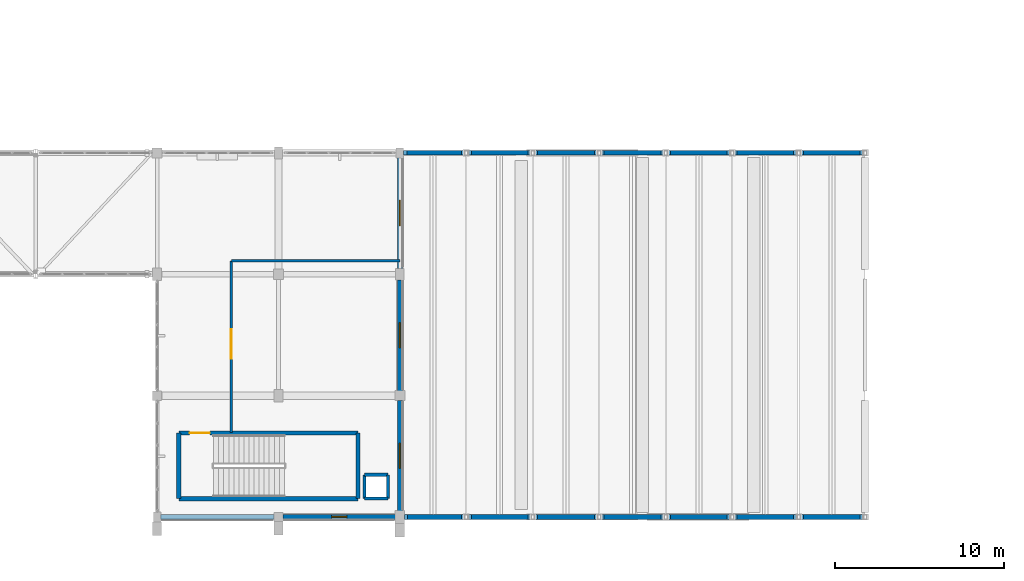
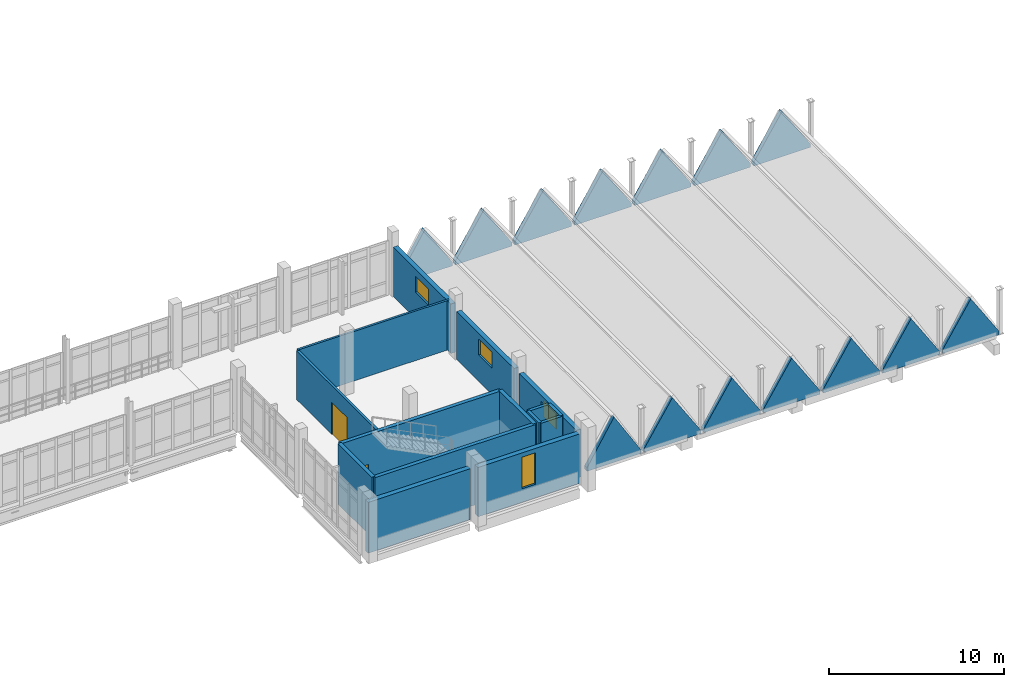
# One storey, part 108 of 124: 29 walls, 4 windows, 2 doors, 6 openings.
"""IFC4 building model written with IfcOpenShell, lengths in metres."""

from ifc_helpers import new_model, si_unit, direction, frame, frame_2d, origin, place, context, subcontext, project, spatial, polyline, rectangle, outline, extrude, material, layer, layer_set, type_object, element, fill, save


model = new_model("IFC4")

# Units and contexts
model_context = context("Model", 3, precision=1e-05, world=origin(), true_north=direction((0.0, 1.0)))
body_context = subcontext(model_context, "Body", "Model", "MODEL_VIEW")
ifc_project = project(units=[si_unit("LENGTHUNIT", "METRE"), si_unit("AREAUNIT", "SQUARE_METRE"), si_unit("VOLUMEUNIT", "CUBIC_METRE"), si_unit("PLANEANGLEUNIT", "RADIAN"), si_unit("MASSUNIT", "GRAM", prefix="KILO")], contexts=[model_context])

# Site, building, storey
site_placement = place(None, origin())
site = spatial("IfcSite", under=ifc_project, at=site_placement, CompositionType="ELEMENT")
building_placement = place(site_placement, origin())
building = spatial("IfcBuilding", under=site, at=building_placement, Name="Kalluvel Institute of Natural Sciences", CompositionType="ELEMENT")
storey_placement = place(building_placement, frame((0.0, 0.0, 9.89990234375)))
storey = spatial("IfcBuildingStorey", under=building, at=storey_placement, Name="L02", CompositionType="ELEMENT", Elevation=9.89990234375)

# Walls
ifc_material_1 = material(Name="Concrete M40", Category="concrete")
ifc_layer_1 = layer(ifc_material_1, 0.25)
ifc_layer_set_1 = layer_set([ifc_layer_1], Name="Concrete M40")
wall_type_1 = type_object("IfcWallType", Name="WL-CORE-250", PredefinedType="SHEAR", material=ifc_layer_set_1)
wall_1_placement = place(storey_placement, frame((101.68505859375, 15.0849609375, 0.0), z_axis=(0.0, 0.0, 1.0), x_axis=(1.0, 0.0, 0.0)))
element("IfcWall", 1, at=wall_1_placement, inside=storey, type_object=wall_type_1, Name="ST7 L02 core wall S", PredefinedType="SHEAR", context=body_context, shape_type="SweptSolid", body=[
    extrude(rectangle(XDim=10.6298828125, YDim=0.25, at=frame_2d((5.31494140625, 0.0))), origin(), (0.0, 0.0, 1.0), 4.215087890625),
])
wall_2_placement = place(storey_placement, frame((112.31494140625, 15.0849609375, 0.0), z_axis=(0.0, 0.0, 1.0), x_axis=(0.0, 1.0, 0.0)))
element("IfcWall", 2, at=wall_2_placement, inside=storey, type_object=wall_type_1, Name="ST7 L02 core wall E", PredefinedType="SHEAR", context=body_context, shape_type="SweptSolid", body=[
    extrude(rectangle(XDim=3.900146484375, YDim=0.25, at=frame_2d((1.9501953125, 0.0))), origin(), (0.0, 0.0, 1.0), 4.215087890625),
])

# Wall, opening, door
wall_3_placement = place(storey_placement, frame((112.31494140625, 18.985107421875, 0.0), z_axis=(0.0, 0.0, 1.0), x_axis=(-1.0, 0.0, 0.0)))
wall_3 = element("IfcWall", 3, at=wall_3_placement, inside=storey, type_object=wall_type_1, Name="ST7 L02 core wall N", PredefinedType="SHEAR", context=body_context, shape_type="SweptSolid", body=[
    extrude(rectangle(XDim=10.6298828125, YDim=0.25, at=frame_2d((5.31494140625, 0.0))), origin(), (0.0, 0.0, 1.0), 4.215087890625),
])
opening_1_placement = place(wall_3_placement, frame((8.780029296875, 0.0, 0.0)))
opening_1 = element("IfcOpeningElement", 4, at=opening_1_placement, cuts=wall_3, Name="Opening DS-048", PredefinedType="OPENING", context=body_context, shape_type="SweptSolid", body=[
    extrude(rectangle(XDim=1.199951171875, YDim=2.14990234375, at=frame_2d((0.60009765625, 1.074951171875))), frame((0.0, 0.135009765625, 0.0), z_axis=(0.0, -1.0, 0.0), x_axis=(1.0, 0.0, 0.0)), (0.0, 0.0, 1.0), 0.27001953125),
])
ifc_material_2 = material(Name="Galvanized Fire-Rated Steel", Category="steel")
door_type_1 = type_object("IfcDoorType", Name="DR-ST-1200", OperationType="NOTDEFINED", PredefinedType="DOOR", material=ifc_material_2)
door_1_placement = place(opening_1_placement, origin())
door_1 = element("IfcDoor", 5, at=door_1_placement, inside=storey, type_object=door_type_1, Name="ST7 L02 protected stair door DS-048", OperationType="SINGLE_SWING_LEFT", OverallHeight=2.14990234375, OverallWidth=1.199951171875, PredefinedType="DOOR", context=body_context, shape_type="SweptSolid", body=[
    extrude(rectangle(XDim=1.199951171875, YDim=2.14990234375, at=frame_2d((0.60009765625, 1.074951171875))), frame((0.0, 0.02490234375, 0.0), z_axis=(0.0, -1.0, 0.0), x_axis=(1.0, 0.0, 0.0)), (0.0, 0.0, 1.0), 0.050048828125),
])
fill(opening_1, door_1)

# Wall
wall_4_placement = place(storey_placement, frame((101.68505859375, 18.985107421875, 0.0), z_axis=(0.0, 0.0, 1.0), x_axis=(0.0, -1.0, 0.0)))
element("IfcWall", 6, at=wall_4_placement, inside=storey, type_object=wall_type_1, Name="ST7 L02 core wall W", PredefinedType="SHEAR", context=body_context, shape_type="SweptSolid", body=[
    extrude(rectangle(XDim=3.900146484375, YDim=0.25, at=frame_2d((1.9501953125, 0.0))), origin(), (0.0, 0.0, 1.0), 4.215087890625),
])

# Wall, opening, window
ifc_material_3 = material(Name="Sadarahalli Grey Granite Ashlar Concrete M40", Category="masonry")
ifc_layer_2 = layer(ifc_material_3, 0.300048828125)
ifc_layer_set_2 = layer_set([ifc_layer_2], Name="Sadarahalli Grey Granite Ashlar Concrete M40")
wall_type_2 = type_object("IfcWallType", Name="WL-EXT-300", PredefinedType="SOLIDWALL", material=ifc_layer_set_2)
wall_5_placement = place(storey_placement, frame((114.800048828125, 14.35498046875, 0.0), z_axis=(0.0, 0.0, 1.0), x_axis=(0.0, 1.0, 0.0)))
wall_5 = element("IfcWall", 7, at=wall_5_placement, inside=storey, type_object=wall_type_2, Name="L02 Sadarahalli granite exterior wall WL-EXT-L02-0227", PredefinedType="SOLIDWALL", context=body_context, shape_type="SweptSolid", body=[
    extrude(rectangle(XDim=6.56494140625, YDim=0.300048828125, at=frame_2d((3.282470703125, 0.0))), origin(), (0.0, 0.0, 1.0), 3.35498046875),
])
opening_2_placement = place(wall_5_placement, frame((2.532470703125, 0.0, 1.85009765625)))
opening_2 = element("IfcOpeningElement", 8, at=opening_2_placement, cuts=wall_5, Name="Opening W-12", PredefinedType="OPENING", context=body_context, shape_type="SweptSolid", body=[
    extrude(rectangle(XDim=1.5, YDim=1.10009765625, at=frame_2d((0.75, 0.550048828125))), frame((0.0, 0.159912109375, 0.0), z_axis=(0.0, -1.0, 0.0), x_axis=(1.0, 0.0, 0.0)), (0.0, 0.0, 1.0), 0.320068359375),
])
ifc_material_4 = material(Name="Solar-Control Low-E Laminated Glass", Category="glass")
window_type_1 = type_object("IfcWindowType", Name="WN-HIGH-150x110", PartitioningType="SINGLE_PANEL", PredefinedType="WINDOW", material=ifc_material_4)
window_1_placement = place(opening_2_placement, origin())
window_1 = element("IfcWindow", 9, at=window_1_placement, inside=storey, type_object=window_type_1, Name="L02 Gothic lancet window 38", OverallHeight=1.10009765625, OverallWidth=1.5, PartitioningType="SINGLE_PANEL", PredefinedType="WINDOW", context=body_context, shape_type="SweptSolid", body=[
    extrude(rectangle(XDim=1.5, YDim=1.10009765625, at=frame_2d((0.75, 0.550048828125))), frame((0.0, 0.030029296875, 0.0), z_axis=(0.0, -1.0, 0.0), x_axis=(1.0, 0.0, 0.0)), (0.0, 0.0, 1.0), 0.06005859375),
])
fill(opening_2, window_1)

wall_6_placement = place(storey_placement, frame((114.800048828125, 21.47998046875, 0.0), z_axis=(0.0, 0.0, 1.0), x_axis=(0.0, 1.0, 0.0)))
wall_6 = element("IfcWall", 10, at=wall_6_placement, inside=storey, type_object=wall_type_2, Name="L02 Sadarahalli granite exterior wall WL-EXT-L02-0228", PredefinedType="SOLIDWALL", context=body_context, shape_type="SweptSolid", body=[
    extrude(rectangle(XDim=6.590087890625, YDim=0.300048828125, at=frame_2d((3.294921875, 0.0))), origin(), (0.0, 0.0, 1.0), 3.35498046875),
])
opening_3_placement = place(wall_6_placement, frame((2.544921875, 0.0, 1.85009765625)))
opening_3 = element("IfcOpeningElement", 11, at=opening_3_placement, cuts=wall_6, Name="Opening W-12", PredefinedType="OPENING", context=body_context, shape_type="SweptSolid", body=[
    extrude(rectangle(XDim=1.5, YDim=1.10009765625, at=frame_2d((0.75, 0.550048828125))), frame((0.0, 0.159912109375, 0.0), z_axis=(0.0, -1.0, 0.0), x_axis=(1.0, 0.0, 0.0)), (0.0, 0.0, 1.0), 0.320068359375),
])
window_2_placement = place(opening_3_placement, origin())
window_2 = element("IfcWindow", 12, at=window_2_placement, inside=storey, type_object=window_type_1, Name="L02 Gothic lancet window 39", OverallHeight=1.10009765625, OverallWidth=1.5, PartitioningType="SINGLE_PANEL", PredefinedType="WINDOW", context=body_context, shape_type="SweptSolid", body=[
    extrude(rectangle(XDim=1.5, YDim=1.10009765625, at=frame_2d((0.75, 0.550048828125))), frame((0.0, 0.030029296875, 0.0), z_axis=(0.0, -1.0, 0.0), x_axis=(1.0, 0.0, 0.0)), (0.0, 0.0, 1.0), 0.06005859375),
])
fill(opening_3, window_2)

wall_7_placement = place(storey_placement, frame((114.800048828125, 28.72998046875, 0.0), z_axis=(0.0, 0.0, 1.0), x_axis=(0.0, 1.0, 0.0)))
wall_7 = element("IfcWall", 13, at=wall_7_placement, inside=storey, type_object=wall_type_2, Name="L02 Sadarahalli granite exterior wall WL-EXT-L02-0229", PredefinedType="SOLIDWALL", context=body_context, shape_type="SweptSolid", body=[
    extrude(rectangle(XDim=6.590087890625, YDim=0.300048828125, at=frame_2d((3.294921875, 0.0))), origin(), (0.0, 0.0, 1.0), 3.455078125),
])
opening_4_placement = place(wall_7_placement, frame((2.544921875, 0.0, 1.85009765625)))
opening_4 = element("IfcOpeningElement", 14, at=opening_4_placement, cuts=wall_7, Name="Opening W-12", PredefinedType="OPENING", context=body_context, shape_type="SweptSolid", body=[
    extrude(rectangle(XDim=1.5, YDim=1.10009765625, at=frame_2d((0.75, 0.550048828125))), frame((0.0, 0.159912109375, 0.0), z_axis=(0.0, -1.0, 0.0), x_axis=(1.0, 0.0, 0.0)), (0.0, 0.0, 1.0), 0.320068359375),
])
window_3_placement = place(opening_4_placement, origin())
window_3 = element("IfcWindow", 15, at=window_3_placement, inside=storey, type_object=window_type_1, Name="L02 Gothic lancet window 40", OverallHeight=1.10009765625, OverallWidth=1.5, PartitioningType="SINGLE_PANEL", PredefinedType="WINDOW", context=body_context, shape_type="SweptSolid", body=[
    extrude(rectangle(XDim=1.5, YDim=1.10009765625, at=frame_2d((0.75, 0.550048828125))), frame((0.0, 0.030029296875, 0.0), z_axis=(0.0, -1.0, 0.0), x_axis=(1.0, 0.0, 0.0)), (0.0, 0.0, 1.0), 0.06005859375),
])
fill(opening_4, window_3)

# Wall
ifc_layer_3 = layer(ifc_material_3, 0.320068359375)
ifc_layer_set_3 = layer_set([ifc_layer_3], Name="Sadarahalli Grey Granite Ashlar Concrete M40")
wall_type_3 = type_object("IfcWallType", Name="WL-EXT-320", PredefinedType="SOLIDWALL", material=ifc_layer_set_3)
wall_8_placement = place(storey_placement, frame((100.60498046875, 14.0, 0.0), z_axis=(0.0, 0.0, 1.0), x_axis=(1.0, 0.0, 0.0)))
element("IfcWall", 16, at=wall_8_placement, inside=storey, type_object=wall_type_3, Name="L02 Sadarahalli granite exterior wall WL-EXT-L02-0225", PredefinedType="SOLIDWALL", context=body_context, shape_type="SweptSolid", body=[
    extrude(rectangle(XDim=6.739990234375, YDim=0.320068359375, at=frame_2d((3.3701171875, 0.0))), origin(), (0.0, 0.0, 1.0), 3.55517578125),
])

# Wall, opening, window
wall_9_placement = place(storey_placement, frame((107.85498046875, 14.0, 0.0), z_axis=(0.0, 0.0, 1.0), x_axis=(1.0, 0.0, 0.0)))
wall_9 = element("IfcWall", 17, at=wall_9_placement, inside=storey, type_object=wall_type_3, Name="L02 Sadarahalli granite exterior wall WL-EXT-L02-0226", PredefinedType="SOLIDWALL", context=body_context, shape_type="SweptSolid", body=[
    extrude(rectangle(XDim=6.68994140625, YDim=0.320068359375, at=frame_2d((3.344970703125, 0.0))), origin(), (0.0, 0.0, 1.0), 3.455078125),
])
opening_5_placement = place(wall_9_placement, frame((2.89501953125, 0.0, 0.949951171875)))
opening_5 = element("IfcOpeningElement", 18, at=opening_5_placement, cuts=wall_9, Name="Opening W-01", PredefinedType="OPENING", context=body_context, shape_type="SweptSolid", body=[
    extrude(rectangle(XDim=0.89990234375, YDim=2.199951171875, at=frame_2d((0.449951171875, 1.10009765625))), frame((0.0, 0.169921875, 0.0), z_axis=(0.0, -1.0, 0.0), x_axis=(1.0, 0.0, 0.0)), (0.0, 0.0, 1.0), 0.340087890625),
])
window_type_2 = type_object("IfcWindowType", Name="WN-LAN-090x220", PartitioningType="SINGLE_PANEL", PredefinedType="WINDOW", material=ifc_material_4)
window_4_placement = place(opening_5_placement, origin())
window_4 = element("IfcWindow", 19, at=window_4_placement, inside=storey, type_object=window_type_2, Name="L02 Gothic lancet window 37", OverallHeight=2.199951171875, OverallWidth=0.89990234375, PartitioningType="SINGLE_PANEL", PredefinedType="WINDOW", context=body_context, shape_type="SweptSolid", body=[
    extrude(rectangle(XDim=0.89990234375, YDim=2.199951171875, at=frame_2d((0.449951171875, 1.10009765625))), frame((0.0, 0.030029296875, 0.0), z_axis=(0.0, -1.0, 0.0), x_axis=(1.0, 0.0, 0.0)), (0.0, 0.0, 1.0), 0.06005859375),
])
fill(opening_5, window_4)

# Walls
ifc_layer_4 = layer(ifc_material_3, 0.280029296875)
ifc_layer_set_4 = layer_set([ifc_layer_4], Name="Sadarahalli Grey Granite Ashlar Concrete M40")
wall_type_4 = type_object("IfcWallType", Name="WL-GABLE-280", PredefinedType="SOLIDWALL", material=ifc_layer_set_4)
wall_10_placement = place(storey_placement, frame((115.0751953125, 14.0, 0.650146484375), z_axis=(0.0, 0.0, 1.0), x_axis=(1.0, 0.0, 0.0)))
element("IfcWall", 20, at=wall_10_placement, inside=storey, type_object=wall_type_4, Name="Lecture Theatre South folded-plate gable 1", PredefinedType="SOLIDWALL", context=body_context, shape_type="SweptSolid", body=[
    extrude(outline(polyline([(0.0, 0.0), (3.567626953125, 0.0), (3.56787109375, 0.25), (1.783935546875, 3.169921875), (0.0, 0.25), (0.0, 0.0)])), frame((0.0, 0.14013671875, 0.0), z_axis=(0.0, -1.0, 0.0), x_axis=(1.0, 0.0, 0.0)), (0.0, 0.0, 1.0), 0.280029296875),
])
wall_11_placement = place(storey_placement, frame((115.02490234375, 35.60009765625, 0.650146484375), z_axis=(0.0, 0.0, 1.0), x_axis=(1.0, 0.0, 0.0)))
element("IfcWall", 21, at=wall_11_placement, inside=storey, type_object=wall_type_4, Name="Lecture Theatre North folded-plate gable 1", PredefinedType="SOLIDWALL", context=body_context, shape_type="SweptSolid", body=[
    extrude(outline(polyline([(0.0, 0.0), (3.617919921875, 0.0), (3.617919921875, 0.25), (1.80908203125, 3.169921875), (0.0, 0.25), (0.0, 0.0)])), frame((0.0, 0.14013671875, 0.0), z_axis=(0.0, -1.0, 0.0), x_axis=(1.0, 0.0, 0.0)), (0.0, 0.0, 1.0), 0.280029296875),
])
for number, where, z_axis, x_axis, name in (
    (22, (118.843017578125, 14.0, 0.650146484375), (0.0, 0.0, 1.0), (1.0, 0.0, 0.0), "Lecture Theatre South folded-plate gable 2"),
    (23, (118.843017578125, 35.60009765625, 0.650146484375), (0.0, 0.0, 1.0), (1.0, 0.0, 0.0), "Lecture Theatre North folded-plate gable 2"),
):
    element("IfcWall", number, at=place(storey_placement, frame(where, z_axis=z_axis, x_axis=x_axis)), inside=storey, type_object=wall_type_4, Name=name, PredefinedType="SOLIDWALL", context=body_context, shape_type="SweptSolid", body=[
        extrude(outline(polyline([(0.0, 0.0), (3.74267578125, 0.0), (3.742919921875, 0.25), (1.871337890625, 3.169921875), (0.0, 0.25), (0.0, 0.0)])), frame((0.0, 0.14013671875, 0.0), z_axis=(0.0, -1.0, 0.0), x_axis=(1.0, 0.0, 0.0)), (0.0, 0.0, 1.0), 0.280029296875),
    ])
for number, where, z_axis, x_axis, name in (
    (24, (122.78564453125, 14.0, 0.650146484375), (0.0, 0.0, 1.0), (1.0, 0.0, 0.0), "Lecture Theatre South folded-plate gable 3"),
    (25, (122.78564453125, 35.60009765625, 0.650146484375), (0.0, 0.0, 1.0), (1.0, 0.0, 0.0), "Lecture Theatre North folded-plate gable 3"),
):
    element("IfcWall", number, at=place(storey_placement, frame(where, z_axis=z_axis, x_axis=x_axis)), inside=storey, type_object=wall_type_4, Name=name, PredefinedType="SOLIDWALL", context=body_context, shape_type="SweptSolid", body=[
        extrude(outline(polyline([(0.0, 0.0), (3.742919921875, 0.0), (3.742919921875, 0.25), (1.87158203125, 3.169921875), (0.0, 0.25), (0.0, 0.0)])), frame((0.0, 0.14013671875, 0.0), z_axis=(0.0, -1.0, 0.0), x_axis=(1.0, 0.0, 0.0)), (0.0, 0.0, 1.0), 0.280029296875),
    ])
for number, where, z_axis, x_axis, name in (
    (26, (126.728515625, 14.0, 0.650146484375), (0.0, 0.0, 1.0), (1.0, 0.0, 0.0), "Lecture Theatre South folded-plate gable 4"),
    (27, (126.728515625, 35.60009765625, 0.650146484375), (0.0, 0.0, 1.0), (1.0, 0.0, 0.0), "Lecture Theatre North folded-plate gable 4"),
):
    element("IfcWall", number, at=place(storey_placement, frame(where, z_axis=z_axis, x_axis=x_axis)), inside=storey, type_object=wall_type_4, Name=name, PredefinedType="SOLIDWALL", context=body_context, shape_type="SweptSolid", body=[
        extrude(outline(polyline([(0.0, 0.0), (3.742919921875, 0.0), (3.742919921875, 0.25), (1.871337890625, 3.169921875), (0.0, 0.25), (0.0, 0.0)])), frame((0.0, 0.14013671875, 0.0), z_axis=(0.0, -1.0, 0.0), x_axis=(1.0, 0.0, 0.0)), (0.0, 0.0, 1.0), 0.280029296875),
    ])
for number, where, z_axis, x_axis, name in (
    (28, (130.67138671875, 14.0, 0.650146484375), (0.0, 0.0, 1.0), (1.0, 0.0, 0.0), "Lecture Theatre South folded-plate gable 5"),
    (29, (130.67138671875, 35.60009765625, 0.650146484375), (0.0, 0.0, 1.0), (1.0, 0.0, 0.0), "Lecture Theatre North folded-plate gable 5"),
):
    element("IfcWall", number, at=place(storey_placement, frame(where, z_axis=z_axis, x_axis=x_axis)), inside=storey, type_object=wall_type_4, Name=name, PredefinedType="SOLIDWALL", context=body_context, shape_type="SweptSolid", body=[
        extrude(outline(polyline([(0.0, 0.0), (3.742919921875, 0.0), (3.742919921875, 0.25), (1.87158203125, 3.169921875), (0.0, 0.25), (0.0, 0.0)])), frame((0.0, 0.14013671875, 0.0), z_axis=(0.0, -1.0, 0.0), x_axis=(1.0, 0.0, 0.0)), (0.0, 0.0, 1.0), 0.280029296875),
    ])
for number, where, z_axis, x_axis, name in (
    (30, (134.6142578125, 14.0, 0.650146484375), (0.0, 0.0, 1.0), (1.0, 0.0, 0.0), "Lecture Theatre South folded-plate gable 6"),
    (31, (134.6142578125, 35.60009765625, 0.650146484375), (0.0, 0.0, 1.0), (1.0, 0.0, 0.0), "Lecture Theatre North folded-plate gable 6"),
):
    element("IfcWall", number, at=place(storey_placement, frame(where, z_axis=z_axis, x_axis=x_axis)), inside=storey, type_object=wall_type_4, Name=name, PredefinedType="SOLIDWALL", context=body_context, shape_type="SweptSolid", body=[
        extrude(outline(polyline([(0.0, 0.0), (3.742919921875, 0.0), (3.742919921875, 0.25), (1.871337890625, 3.169921875), (0.0, 0.25), (0.0, 0.0)])), frame((0.0, 0.14013671875, 0.0), z_axis=(0.0, -1.0, 0.0), x_axis=(1.0, 0.0, 0.0)), (0.0, 0.0, 1.0), 0.280029296875),
    ])
for number, where, z_axis, x_axis, name in (
    (32, (138.55712890625, 14.0, 0.650146484375), (0.0, 0.0, 1.0), (1.0, 0.0, 0.0), "Lecture Theatre South folded-plate gable 7"),
    (33, (138.55712890625, 35.60009765625, 0.650146484375), (0.0, 0.0, 1.0), (1.0, 0.0, 0.0), "Lecture Theatre North folded-plate gable 7"),
):
    element("IfcWall", number, at=place(storey_placement, frame(where, z_axis=z_axis, x_axis=x_axis)), inside=storey, type_object=wall_type_4, Name=name, PredefinedType="SOLIDWALL", context=body_context, shape_type="SweptSolid", body=[
        extrude(outline(polyline([(0.0, 0.0), (3.742919921875, 0.0), (3.742919921875, 0.25), (1.87158203125, 3.169921875), (0.0, 0.25), (0.0, 0.0)])), frame((0.0, 0.14013671875, 0.0), z_axis=(0.0, -1.0, 0.0), x_axis=(1.0, 0.0, 0.0)), (0.0, 0.0, 1.0), 0.280029296875),
    ])
ifc_material_5 = material(Name="Acoustic Gypsum Twin-Stud Partition", Category="gypsum")
ifc_layer_5 = layer(ifc_material_5, 0.139892578125)
ifc_layer_set_5 = layer_set([ifc_layer_5], Name="Acoustic Gypsum Twin-Stud Partition")
wall_type_5 = type_object("IfcWallType", Name="WL-PART-140", PredefinedType="PARTITIONING", material=ifc_layer_set_5)
wall_12_placement = place(storey_placement, frame((104.800048828125, 29.199951171875, 0.0), z_axis=(0.0, 0.0, 1.0), x_axis=(1.0, 0.0, 0.0)))
element("IfcWall", 34, at=wall_12_placement, inside=storey, type_object=wall_type_5, Name="L02 interior partition wall WL-INT-L02-0163", PredefinedType="PARTITIONING", context=body_context, shape_type="SweptSolid", body=[
    extrude(rectangle(XDim=10.0, YDim=0.139892578125, at=frame_2d((5.0, 0.0))), origin(), (0.0, 0.0, 1.0), 3.460205078125),
])

# Wall, opening, door
ifc_material_6 = material(Name="Autoclaved Aerated Concrete Masonry Block", Category="masonry")
ifc_layer_6 = layer(ifc_material_6, 0.159912109375)
ifc_layer_set_6 = layer_set([ifc_layer_6], Name="Autoclaved Aerated Concrete Masonry Block")
wall_type_6 = type_object("IfcWallType", Name="WL-PART-160", PredefinedType="PARTITIONING", material=ifc_layer_set_6)
wall_13_placement = place(storey_placement, frame((104.800048828125, 19.0, 0.0), z_axis=(0.0, 0.0, 1.0), x_axis=(0.0, 1.0, 0.0)))
wall_13 = element("IfcWall", 35, at=wall_13_placement, inside=storey, type_object=wall_type_6, Name="L02 interior partition wall WL-INT-L02-0162", PredefinedType="PARTITIONING", context=body_context, shape_type="SweptSolid", body=[
    extrude(rectangle(XDim=10.199951171875, YDim=0.159912109375, at=frame_2d((5.10009765625, 0.0))), origin(), (0.0, 0.0, 1.0), 3.41015625),
])
opening_6_placement = place(wall_13_placement, frame((4.39990234375, 0.0, 0.0)))
opening_6 = element("IfcOpeningElement", 36, at=opening_6_placement, cuts=wall_13, Name="Opening D-143", PredefinedType="OPENING", context=body_context, shape_type="SweptSolid", body=[
    extrude(rectangle(XDim=1.75, YDim=2.25, at=frame_2d((0.875, 1.125))), frame((0.0, 0.08984375, 0.0), z_axis=(0.0, -1.0, 0.0), x_axis=(1.0, 0.0, 0.0)), (0.0, 0.0, 1.0), 0.179931640625),
])
ifc_material_7 = material(Name="Aluminium AW-6063 T6", Category="aluminium")
door_type_2 = type_object("IfcDoorType", Name="DR-DBL-1750", OperationType="NOTDEFINED", PredefinedType="DOOR", material=ifc_material_7)
door_2_placement = place(opening_6_placement, origin())
door_2 = element("IfcDoor", 37, at=door_2_placement, inside=storey, type_object=door_type_2, Name="Second-Floor Interdisciplinary Fellows Commons door D-143", OperationType="DOUBLE_DOOR_SINGLE_SWING", OverallHeight=2.25, OverallWidth=1.75, PredefinedType="DOOR", context=body_context, shape_type="SweptSolid", body=[
    extrude(rectangle(XDim=1.75, YDim=2.25, at=frame_2d((0.875, 1.125))), frame((0.0, 0.02490234375, 0.0), z_axis=(0.0, -1.0, 0.0), x_axis=(1.0, 0.0, 0.0)), (0.0, 0.0, 1.0), 0.050048828125),
])
fill(opening_6, door_2)

# Walls
ifc_layer_7 = layer(ifc_material_1, 0.199951171875)
ifc_layer_set_7 = layer_set([ifc_layer_7], Name="Concrete M40")
wall_type_7 = type_object("IfcWallType", Name="WL-RISER-200", PredefinedType="SHEAR", material=ifc_layer_set_7)
wall_14_placement = place(storey_placement, frame((112.699951171875, 15.10009765625, 0.0), z_axis=(0.0, 0.0, 1.0), x_axis=(1.0, 0.0, 0.0)))
element("IfcWall", 38, at=wall_14_placement, inside=storey, type_object=wall_type_7, Name="RS-ECOM L02 service riser enclosure S", PredefinedType="SHEAR", context=body_context, shape_type="SweptSolid", body=[
    extrude(rectangle(XDim=1.400146484375, YDim=0.199951171875, at=frame_2d((0.7001953125, 0.0))), origin(), (0.0, 0.0, 1.0), 4.14013671875),
])
wall_15_placement = place(storey_placement, frame((114.10009765625, 15.10009765625, 0.0), z_axis=(0.0, 0.0, 1.0), x_axis=(0.0, 1.0, 0.0)))
element("IfcWall", 39, at=wall_15_placement, inside=storey, type_object=wall_type_7, Name="RS-ECOM L02 service riser enclosure E", PredefinedType="SHEAR", context=body_context, shape_type="SweptSolid", body=[
    extrude(rectangle(XDim=1.39990234375, YDim=0.199951171875, at=frame_2d((0.699951171875, 0.0))), origin(), (0.0, 0.0, 1.0), 4.14013671875),
])
wall_16_placement = place(storey_placement, frame((114.10009765625, 16.5, 0.0), z_axis=(0.0, 0.0, 1.0), x_axis=(-1.0, 0.0, 0.0)))
element("IfcWall", 40, at=wall_16_placement, inside=storey, type_object=wall_type_7, Name="RS-ECOM L02 service riser enclosure N", PredefinedType="SHEAR", context=body_context, shape_type="SweptSolid", body=[
    extrude(rectangle(XDim=1.400146484375, YDim=0.199951171875, at=frame_2d((0.7001953125, 0.0))), origin(), (0.0, 0.0, 1.0), 4.14013671875),
])
wall_17_placement = place(storey_placement, frame((112.699951171875, 16.5, 0.0), z_axis=(0.0, 0.0, 1.0), x_axis=(0.0, -1.0, 0.0)))
element("IfcWall", 41, at=wall_17_placement, inside=storey, type_object=wall_type_7, Name="RS-ECOM L02 service riser enclosure W", PredefinedType="SHEAR", context=body_context, shape_type="SweptSolid", body=[
    extrude(rectangle(XDim=1.39990234375, YDim=0.199951171875, at=frame_2d((0.699951171875, 0.0))), origin(), (0.0, 0.0, 1.0), 4.14013671875),
])

save(model, "model.ifc")
